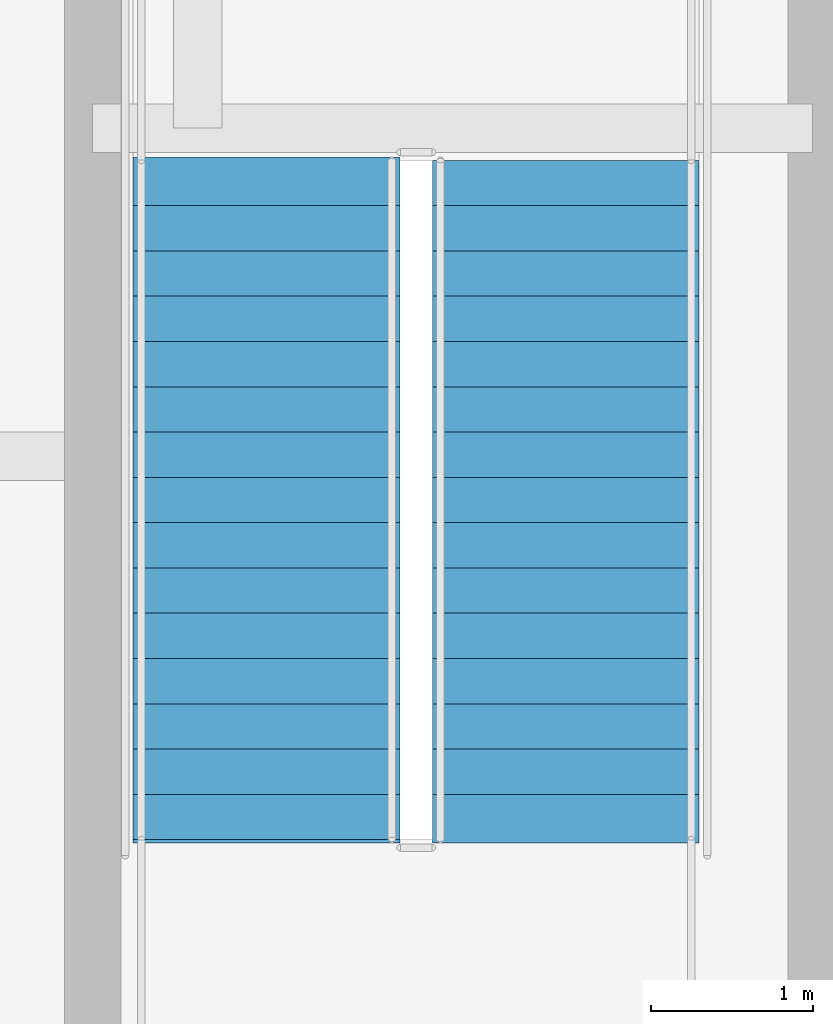
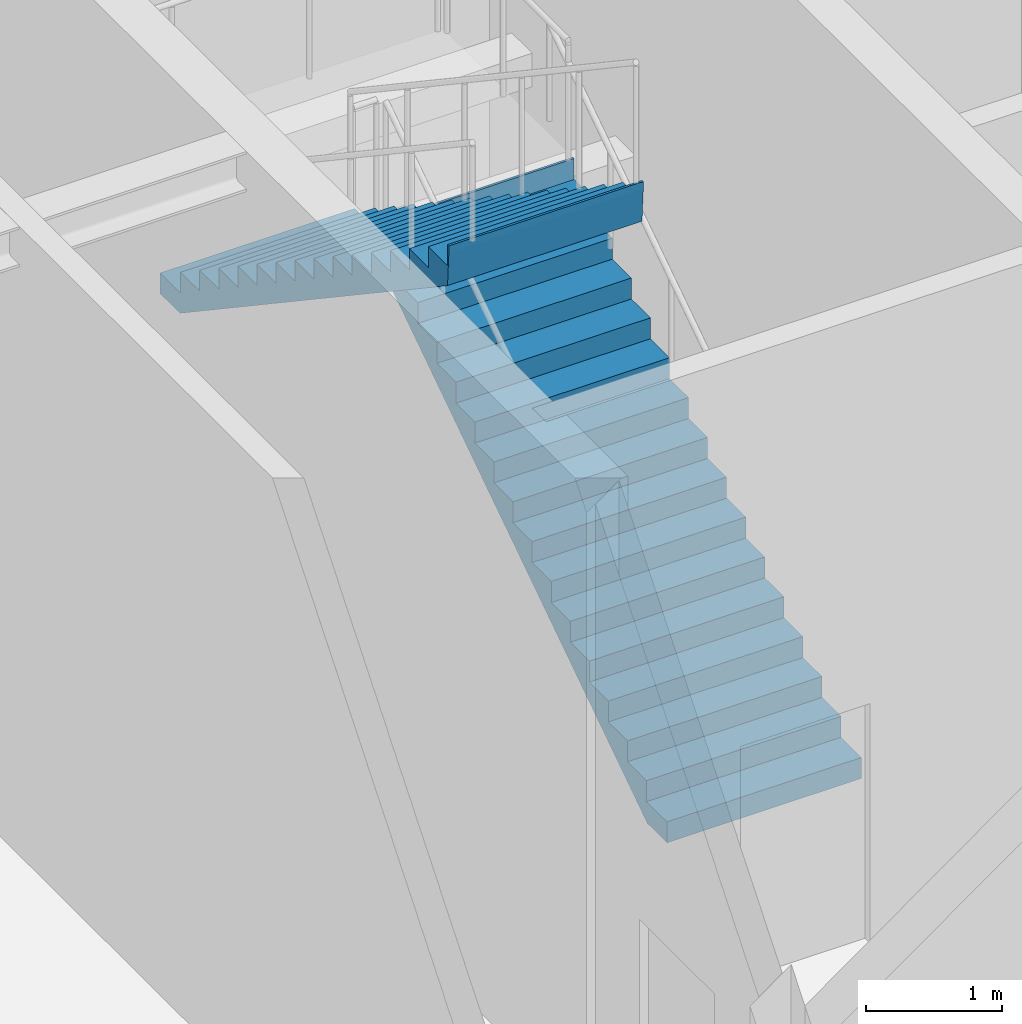
# One storey, part 4 of 10: 2 stair flights, 1 element without a shape of its own.
"""IFC4 building model written with IfcOpenShell, lengths in metres."""

from ifc_helpers import new_model, si_unit, direction, frame, origin, place, context, subcontext, project, spatial, polygons, material, type_object, element, aggregate, save


model = new_model("IFC4")

# Units and contexts
model_context = context("Model", 3, precision=1e-05, world=origin(), true_north=direction((0.0, 1.0)))
body_context = subcontext(model_context, "Body", "Model", "MODEL_VIEW")
ifc_project = project(units=[si_unit("LENGTHUNIT", "METRE"), si_unit("AREAUNIT", "SQUARE_METRE"), si_unit("VOLUMEUNIT", "CUBIC_METRE"), si_unit("PLANEANGLEUNIT", "RADIAN"), si_unit("MASSUNIT", "GRAM", prefix="KILO")], contexts=[model_context])

# Site, building, storey
site_placement = place(None, origin())
site = spatial("IfcSite", under=ifc_project, at=site_placement, CompositionType="ELEMENT")
building_placement = place(site_placement, origin())
building = spatial("IfcBuilding", under=site, at=building_placement, Name="Serunith Strait Residences", CompositionType="ELEMENT")
storey_placement = place(building_placement, frame((0.0, 0.0, 359.75)))
storey = spatial("IfcBuildingStorey", under=building, at=storey_placement, Name="L88", CompositionType="ELEMENT", Elevation=359.75)

# Stair, stair flights
ifc_material = material(Name="Concrete C50/60", Category="concrete")
stair_type = type_object("IfcStairType", Name="STR-CORE-1", PredefinedType="HALF_TURN_STAIR", material=ifc_material)
stair_placement = place(storey_placement, origin())
stair = element("IfcStair", 1, at=stair_placement, inside=storey, type_object=stair_type, Name="L88 Protected Escape Stair ST-1", PredefinedType="HALF_TURN_STAIR")
stair_flight_type = type_object("IfcStairFlightType", Name="FLT-CORE-1", PredefinedType="STRAIGHT", material=ifc_material)
stair_flight_1_placement = place(storey_placement, frame((26.324951171875, 27.030029296875, 0.0), z_axis=(0.0, 0.0, 1.0), x_axis=(0.0, 1.0, 0.0)))
stair_flight_1 = element("IfcStairFlight", 2, at=stair_flight_1_placement, type_object=stair_flight_type, Name="ST-1 flight 1", NumberOfRisers=16, NumberOfTreads=15, PredefinedType="STRAIGHT", RiserHeight=0.1875, TreadLength=0.28, context=body_context, shape_type="Tessellation", body=[
    polygons([(-0.02001953125, -0.824951171875, 0.0), (-0.02001953125, -0.824951171875, 0.1875), (0.280029296875, -0.824951171875, 0.1875), (0.280029296875, -0.824951171875, 0.375), (0.56005859375, -0.824951171875, 0.375), (0.56005859375, -0.824951171875, 0.5625), (0.840087890625, -0.824951171875, 0.5625), (0.840087890625, -0.824951171875, 0.75), (1.1201171875, -0.824951171875, 0.75), (1.1201171875, -0.824951171875, 0.9375), (1.39990234375, -0.824951171875, 0.9375), (1.39990234375, -0.824951171875, 1.125), (1.679931640625, -0.824951171875, 1.125), (1.679931640625, -0.824951171875, 1.3125), (1.9599609375, -0.824951171875, 1.3125), (1.9599609375, -0.824951171875, 1.5), (2.239990234375, -0.824951171875, 1.5), (2.239990234375, -0.824951171875, 1.6875), (2.52001953125, -0.824951171875, 1.6875), (2.52001953125, -0.824951171875, 1.875), (2.800048828125, -0.824951171875, 1.875), (2.800048828125, -0.824951171875, 2.0625), (3.080078125, -0.824951171875, 2.0625), (3.080078125, -0.824951171875, 2.25), (3.360107421875, -0.824951171875, 2.25), (3.360107421875, -0.824951171875, 2.4375), (3.639892578125, -0.824951171875, 2.4375), (3.639892578125, -0.824951171875, 2.625), (3.919921875, -0.824951171875, 2.625), (3.919921875, -0.824951171875, 2.8125), (4.199951171875, -0.824951171875, 2.8125), (4.199951171875, -0.824951171875, 3.0), (4.219970703125, -0.824951171875, 3.0), (4.219970703125, -0.824951171875, 2.93994140625), (4.199951171875, -0.824951171875, 2.632080078125), (0.26953125, -0.824951171875, 0.0), (-0.02001953125, -0.41259765625, 0.0), (-0.02001953125, -0.41259765625, 0.1875), (0.280029296875, -0.41259765625, 0.1875), (0.280029296875, -0.41259765625, 0.375), (0.56005859375, -0.41259765625, 0.375), (0.56005859375, -0.41259765625, 0.5625), (0.840087890625, -0.41259765625, 0.5625), (0.840087890625, -0.41259765625, 0.75), (1.1201171875, -0.41259765625, 0.75), (1.1201171875, -0.41259765625, 0.9375), (1.39990234375, -0.41259765625, 0.9375), (1.39990234375, -0.41259765625, 1.125), (1.679931640625, -0.41259765625, 1.125), (1.679931640625, -0.41259765625, 1.3125), (1.9599609375, -0.41259765625, 1.3125), (1.9599609375, -0.41259765625, 1.5), (2.239990234375, -0.41259765625, 1.5), (2.239990234375, -0.41259765625, 1.6875), (2.52001953125, -0.41259765625, 1.6875), (2.52001953125, -0.41259765625, 1.875), (2.800048828125, -0.41259765625, 1.875), (2.800048828125, -0.41259765625, 2.0625), (3.080078125, -0.41259765625, 2.0625), (3.080078125, -0.41259765625, 2.25), (3.360107421875, -0.41259765625, 2.25), (3.360107421875, -0.41259765625, 2.4375), (3.639892578125, -0.41259765625, 2.4375), (3.639892578125, -0.41259765625, 2.625), (3.919921875, -0.41259765625, 2.625), (3.919921875, -0.41259765625, 2.8125), (4.199951171875, -0.41259765625, 2.8125), (4.199951171875, -0.41259765625, 3.0), (4.219970703125, -0.41259765625, 3.0), (4.219970703125, -0.41259765625, 2.93994140625), (4.199951171875, -0.41259765625, 2.632080078125), (0.26953125, -0.41259765625, 0.0), (-0.02001953125, 0.0, 0.0), (-0.02001953125, 0.0, 0.1875), (0.280029296875, 0.0, 0.1875), (0.280029296875, 0.0, 0.375), (0.56005859375, 0.0, 0.375), (0.56005859375, 0.0, 0.5625), (0.840087890625, 0.0, 0.5625), (0.840087890625, 0.0, 0.75), (1.1201171875, 0.0, 0.75), (1.1201171875, 0.0, 0.9375), (1.39990234375, 0.0, 0.9375), (1.39990234375, 0.0, 1.125), (1.679931640625, 0.0, 1.125), (1.679931640625, 0.0, 1.3125), (1.9599609375, 0.0, 1.3125), (1.9599609375, 0.0, 1.5), (2.239990234375, 0.0, 1.5), (2.239990234375, 0.0, 1.6875), (2.52001953125, 0.0, 1.6875), (2.52001953125, 0.0, 1.875), (2.800048828125, 0.0, 1.875), (2.800048828125, 0.0, 2.0625), (3.080078125, 0.0, 2.0625), (3.080078125, 0.0, 2.25), (3.360107421875, 0.0, 2.25), (3.360107421875, 0.0, 2.4375), (3.639892578125, 0.0, 2.4375), (3.639892578125, 0.0, 2.625), (3.919921875, 0.0, 2.625), (3.919921875, 0.0, 2.8125), (4.199951171875, 0.0, 2.8125), (4.199951171875, 0.0, 3.0), (4.219970703125, 0.0, 3.0), (4.219970703125, 0.0, 2.93994140625), (4.199951171875, 0.0, 2.632080078125), (0.26953125, 0.0, 0.0), (-0.02001953125, 0.41259765625, 0.0), (-0.02001953125, 0.41259765625, 0.1875), (0.280029296875, 0.41259765625, 0.1875), (0.280029296875, 0.41259765625, 0.375), (0.56005859375, 0.41259765625, 0.375), (0.56005859375, 0.41259765625, 0.5625), (0.840087890625, 0.41259765625, 0.5625), (0.840087890625, 0.41259765625, 0.75), (1.1201171875, 0.41259765625, 0.75), (1.1201171875, 0.41259765625, 0.9375), (1.39990234375, 0.41259765625, 0.9375), (1.39990234375, 0.41259765625, 1.125), (1.679931640625, 0.41259765625, 1.125), (1.679931640625, 0.41259765625, 1.3125), (1.9599609375, 0.41259765625, 1.3125), (1.9599609375, 0.41259765625, 1.5), (2.239990234375, 0.41259765625, 1.5), (2.239990234375, 0.41259765625, 1.6875), (2.52001953125, 0.41259765625, 1.6875), (2.52001953125, 0.41259765625, 1.875), (2.800048828125, 0.41259765625, 1.875), (2.800048828125, 0.41259765625, 2.0625), (3.080078125, 0.41259765625, 2.0625), (3.080078125, 0.41259765625, 2.25), (3.360107421875, 0.41259765625, 2.25), (3.360107421875, 0.41259765625, 2.4375), (3.639892578125, 0.41259765625, 2.4375), (3.639892578125, 0.41259765625, 2.625), (3.919921875, 0.41259765625, 2.625), (3.919921875, 0.41259765625, 2.8125), (4.199951171875, 0.41259765625, 2.8125), (4.199951171875, 0.41259765625, 3.0), (4.219970703125, 0.41259765625, 3.0), (4.219970703125, 0.41259765625, 2.93994140625), (4.199951171875, 0.41259765625, 2.632080078125), (0.26953125, 0.41259765625, 0.0), (-0.02001953125, 0.824951171875, 0.0), (-0.02001953125, 0.824951171875, 0.1875), (0.280029296875, 0.824951171875, 0.1875), (0.280029296875, 0.824951171875, 0.375), (0.56005859375, 0.824951171875, 0.375), (0.56005859375, 0.824951171875, 0.5625), (0.840087890625, 0.824951171875, 0.5625), (0.840087890625, 0.824951171875, 0.75), (1.1201171875, 0.824951171875, 0.75), (1.1201171875, 0.824951171875, 0.9375), (1.39990234375, 0.824951171875, 0.9375), (1.39990234375, 0.824951171875, 1.125), (1.679931640625, 0.824951171875, 1.125), (1.679931640625, 0.824951171875, 1.3125), (1.9599609375, 0.824951171875, 1.3125), (1.9599609375, 0.824951171875, 1.5), (2.239990234375, 0.824951171875, 1.5), (2.239990234375, 0.824951171875, 1.6875), (2.52001953125, 0.824951171875, 1.6875), (2.52001953125, 0.824951171875, 1.875), (2.800048828125, 0.824951171875, 1.875), (2.800048828125, 0.824951171875, 2.0625), (3.080078125, 0.824951171875, 2.0625), (3.080078125, 0.824951171875, 2.25), (3.360107421875, 0.824951171875, 2.25), (3.360107421875, 0.824951171875, 2.4375), (3.639892578125, 0.824951171875, 2.4375), (3.639892578125, 0.824951171875, 2.625), (3.919921875, 0.824951171875, 2.625), (3.919921875, 0.824951171875, 2.8125), (4.199951171875, 0.824951171875, 2.8125), (4.199951171875, 0.824951171875, 3.0), (4.219970703125, 0.824951171875, 3.0), (4.219970703125, 0.824951171875, 2.93994140625), (4.199951171875, 0.824951171875, 2.632080078125), (0.26953125, 0.824951171875, 0.0)], [[[1, 2, 38, 37]], [[2, 3, 39, 38]], [[3, 4, 40, 39]], [[4, 5, 41, 40]], [[5, 6, 42, 41]], [[6, 7, 43, 42]], [[7, 8, 44, 43]], [[8, 9, 45, 44]], [[9, 10, 46, 45]], [[10, 11, 47, 46]], [[11, 12, 48, 47]], [[12, 13, 49, 48]], [[13, 14, 50, 49]], [[14, 15, 51, 50]], [[15, 16, 52, 51]], [[16, 17, 53, 52]], [[17, 18, 54, 53]], [[18, 19, 55, 54]], [[19, 20, 56, 55]], [[20, 21, 57, 56]], [[21, 22, 58, 57]], [[22, 23, 59, 58]], [[23, 24, 60, 59]], [[24, 25, 61, 60]], [[25, 26, 62, 61]], [[26, 27, 63, 62]], [[27, 28, 64, 63]], [[28, 29, 65, 64]], [[29, 30, 66, 65]], [[30, 31, 67, 66]], [[31, 32, 68, 67]], [[32, 33, 69, 68]], [[33, 34, 70, 69]], [[34, 35, 71, 70]], [[35, 36, 72, 71]], [[36, 1, 37, 72]], [[37, 38, 74, 73]], [[38, 39, 75, 74]], [[39, 40, 76, 75]], [[40, 41, 77, 76]], [[41, 42, 78, 77]], [[42, 43, 79, 78]], [[43, 44, 80, 79]], [[44, 45, 81, 80]], [[45, 46, 82, 81]], [[46, 47, 83, 82]], [[47, 48, 84, 83]], [[48, 49, 85, 84]], [[49, 50, 86, 85]], [[50, 51, 87, 86]], [[51, 52, 88, 87]], [[52, 53, 89, 88]], [[53, 54, 90, 89]], [[54, 55, 91, 90]], [[55, 56, 92, 91]], [[56, 57, 93, 92]], [[57, 58, 94, 93]], [[58, 59, 95, 94]], [[59, 60, 96, 95]], [[60, 61, 97, 96]], [[61, 62, 98, 97]], [[62, 63, 99, 98]], [[63, 64, 100, 99]], [[64, 65, 101, 100]], [[65, 66, 102, 101]], [[66, 67, 103, 102]], [[67, 68, 104, 103]], [[68, 69, 105, 104]], [[69, 70, 106, 105]], [[70, 71, 107, 106]], [[71, 72, 108, 107]], [[72, 37, 73, 108]], [[73, 74, 110, 109]], [[74, 75, 111, 110]], [[75, 76, 112, 111]], [[76, 77, 113, 112]], [[77, 78, 114, 113]], [[78, 79, 115, 114]], [[79, 80, 116, 115]], [[80, 81, 117, 116]], [[81, 82, 118, 117]], [[82, 83, 119, 118]], [[83, 84, 120, 119]], [[84, 85, 121, 120]], [[85, 86, 122, 121]], [[86, 87, 123, 122]], [[87, 88, 124, 123]], [[88, 89, 125, 124]], [[89, 90, 126, 125]], [[90, 91, 127, 126]], [[91, 92, 128, 127]], [[92, 93, 129, 128]], [[93, 94, 130, 129]], [[94, 95, 131, 130]], [[95, 96, 132, 131]], [[96, 97, 133, 132]], [[97, 98, 134, 133]], [[98, 99, 135, 134]], [[99, 100, 136, 135]], [[100, 101, 137, 136]], [[101, 102, 138, 137]], [[102, 103, 139, 138]], [[103, 104, 140, 139]], [[104, 105, 141, 140]], [[105, 106, 142, 141]], [[106, 107, 143, 142]], [[107, 108, 144, 143]], [[108, 73, 109, 144]], [[109, 110, 146, 145]], [[110, 111, 147, 146]], [[111, 112, 148, 147]], [[112, 113, 149, 148]], [[113, 114, 150, 149]], [[114, 115, 151, 150]], [[115, 116, 152, 151]], [[116, 117, 153, 152]], [[117, 118, 154, 153]], [[118, 119, 155, 154]], [[119, 120, 156, 155]], [[120, 121, 157, 156]], [[121, 122, 158, 157]], [[122, 123, 159, 158]], [[123, 124, 160, 159]], [[124, 125, 161, 160]], [[125, 126, 162, 161]], [[126, 127, 163, 162]], [[127, 128, 164, 163]], [[128, 129, 165, 164]], [[129, 130, 166, 165]], [[130, 131, 167, 166]], [[131, 132, 168, 167]], [[132, 133, 169, 168]], [[133, 134, 170, 169]], [[134, 135, 171, 170]], [[135, 136, 172, 171]], [[136, 137, 173, 172]], [[137, 138, 174, 173]], [[138, 139, 175, 174]], [[139, 140, 176, 175]], [[140, 141, 177, 176]], [[141, 142, 178, 177]], [[142, 143, 179, 178]], [[143, 144, 180, 179]], [[144, 109, 145, 180]], [[36, 35, 34, 33, 32, 31, 30, 29, 28, 27, 26, 25, 24, 23, 22, 21, 20, 19, 18, 17, 16, 15, 14, 13, 12, 11, 10, 9, 8, 7, 6, 5, 4, 3, 2, 1]], [[145, 146, 147, 148, 149, 150, 151, 152, 153, 154, 155, 156, 157, 158, 159, 160, 161, 162, 163, 164, 165, 166, 167, 168, 169, 170, 171, 172, 173, 174, 175, 176, 177, 178, 179, 180]]], closed=True),
])
stair_flight_2_placement = place(storey_placement, frame((24.47509765625, 31.22998046875, 3.0), z_axis=(0.0, 0.0, 1.0), x_axis=(0.0, -1.0, 0.0)))
stair_flight_2 = element("IfcStairFlight", 3, at=stair_flight_2_placement, type_object=stair_flight_type, Name="ST-1 flight 2", NumberOfRisers=16, NumberOfTreads=15, PredefinedType="STRAIGHT", RiserHeight=0.1875, TreadLength=0.28, context=body_context, shape_type="Tessellation", body=[
    polygons([(-0.02001953125, -0.824951171875, 0.0), (-0.02001953125, -0.824951171875, 0.1875), (0.280029296875, -0.824951171875, 0.1875), (0.280029296875, -0.824951171875, 0.375), (0.56005859375, -0.824951171875, 0.375), (0.56005859375, -0.824951171875, 0.5625), (0.840087890625, -0.824951171875, 0.5625), (0.840087890625, -0.824951171875, 0.75), (1.1201171875, -0.824951171875, 0.75), (1.1201171875, -0.824951171875, 0.9375), (1.39990234375, -0.824951171875, 0.9375), (1.39990234375, -0.824951171875, 1.125), (1.679931640625, -0.824951171875, 1.125), (1.679931640625, -0.824951171875, 1.3125), (1.9599609375, -0.824951171875, 1.3125), (1.9599609375, -0.824951171875, 1.5), (2.239990234375, -0.824951171875, 1.5), (2.239990234375, -0.824951171875, 1.6875), (2.52001953125, -0.824951171875, 1.6875), (2.52001953125, -0.824951171875, 1.875), (2.800048828125, -0.824951171875, 1.875), (2.800048828125, -0.824951171875, 2.0625), (3.080078125, -0.824951171875, 2.0625), (3.080078125, -0.824951171875, 2.25), (3.360107421875, -0.824951171875, 2.25), (3.360107421875, -0.824951171875, 2.4375), (3.639892578125, -0.824951171875, 2.4375), (3.639892578125, -0.824951171875, 2.625), (3.919921875, -0.824951171875, 2.625), (3.919921875, -0.824951171875, 2.8125), (4.199951171875, -0.824951171875, 2.8125), (4.199951171875, -0.824951171875, 3.0), (4.219970703125, -0.824951171875, 3.0), (4.219970703125, -0.824951171875, 2.93994140625), (4.199951171875, -0.824951171875, 2.632080078125), (0.26953125, -0.824951171875, 0.0), (-0.02001953125, -0.41259765625, 0.0), (-0.02001953125, -0.41259765625, 0.1875), (0.280029296875, -0.41259765625, 0.1875), (0.280029296875, -0.41259765625, 0.375), (0.56005859375, -0.41259765625, 0.375), (0.56005859375, -0.41259765625, 0.5625), (0.840087890625, -0.41259765625, 0.5625), (0.840087890625, -0.41259765625, 0.75), (1.1201171875, -0.41259765625, 0.75), (1.1201171875, -0.41259765625, 0.9375), (1.39990234375, -0.41259765625, 0.9375), (1.39990234375, -0.41259765625, 1.125), (1.679931640625, -0.41259765625, 1.125), (1.679931640625, -0.41259765625, 1.3125), (1.9599609375, -0.41259765625, 1.3125), (1.9599609375, -0.41259765625, 1.5), (2.239990234375, -0.41259765625, 1.5), (2.239990234375, -0.41259765625, 1.6875), (2.52001953125, -0.41259765625, 1.6875), (2.52001953125, -0.41259765625, 1.875), (2.800048828125, -0.41259765625, 1.875), (2.800048828125, -0.41259765625, 2.0625), (3.080078125, -0.41259765625, 2.0625), (3.080078125, -0.41259765625, 2.25), (3.360107421875, -0.41259765625, 2.25), (3.360107421875, -0.41259765625, 2.4375), (3.639892578125, -0.41259765625, 2.4375), (3.639892578125, -0.41259765625, 2.625), (3.919921875, -0.41259765625, 2.625), (3.919921875, -0.41259765625, 2.8125), (4.199951171875, -0.41259765625, 2.8125), (4.199951171875, -0.41259765625, 3.0), (4.219970703125, -0.41259765625, 3.0), (4.219970703125, -0.41259765625, 2.93994140625), (4.199951171875, -0.41259765625, 2.632080078125), (0.26953125, -0.41259765625, 0.0), (-0.02001953125, 0.0, 0.0), (-0.02001953125, 0.0, 0.1875), (0.280029296875, 0.0, 0.1875), (0.280029296875, 0.0, 0.375), (0.56005859375, 0.0, 0.375), (0.56005859375, 0.0, 0.5625), (0.840087890625, 0.0, 0.5625), (0.840087890625, 0.0, 0.75), (1.1201171875, 0.0, 0.75), (1.1201171875, 0.0, 0.9375), (1.39990234375, 0.0, 0.9375), (1.39990234375, 0.0, 1.125), (1.679931640625, 0.0, 1.125), (1.679931640625, 0.0, 1.3125), (1.9599609375, 0.0, 1.3125), (1.9599609375, 0.0, 1.5), (2.239990234375, 0.0, 1.5), (2.239990234375, 0.0, 1.6875), (2.52001953125, 0.0, 1.6875), (2.52001953125, 0.0, 1.875), (2.800048828125, 0.0, 1.875), (2.800048828125, 0.0, 2.0625), (3.080078125, 0.0, 2.0625), (3.080078125, 0.0, 2.25), (3.360107421875, 0.0, 2.25), (3.360107421875, 0.0, 2.4375), (3.639892578125, 0.0, 2.4375), (3.639892578125, 0.0, 2.625), (3.919921875, 0.0, 2.625), (3.919921875, 0.0, 2.8125), (4.199951171875, 0.0, 2.8125), (4.199951171875, 0.0, 3.0), (4.219970703125, 0.0, 3.0), (4.219970703125, 0.0, 2.93994140625), (4.199951171875, 0.0, 2.632080078125), (0.26953125, 0.0, 0.0), (-0.02001953125, 0.41259765625, 0.0), (-0.02001953125, 0.41259765625, 0.1875), (0.280029296875, 0.41259765625, 0.1875), (0.280029296875, 0.41259765625, 0.375), (0.56005859375, 0.41259765625, 0.375), (0.56005859375, 0.41259765625, 0.5625), (0.840087890625, 0.41259765625, 0.5625), (0.840087890625, 0.41259765625, 0.75), (1.1201171875, 0.41259765625, 0.75), (1.1201171875, 0.41259765625, 0.9375), (1.39990234375, 0.41259765625, 0.9375), (1.39990234375, 0.41259765625, 1.125), (1.679931640625, 0.41259765625, 1.125), (1.679931640625, 0.41259765625, 1.3125), (1.9599609375, 0.41259765625, 1.3125), (1.9599609375, 0.41259765625, 1.5), (2.239990234375, 0.41259765625, 1.5), (2.239990234375, 0.41259765625, 1.6875), (2.52001953125, 0.41259765625, 1.6875), (2.52001953125, 0.41259765625, 1.875), (2.800048828125, 0.41259765625, 1.875), (2.800048828125, 0.41259765625, 2.0625), (3.080078125, 0.41259765625, 2.0625), (3.080078125, 0.41259765625, 2.25), (3.360107421875, 0.41259765625, 2.25), (3.360107421875, 0.41259765625, 2.4375), (3.639892578125, 0.41259765625, 2.4375), (3.639892578125, 0.41259765625, 2.625), (3.919921875, 0.41259765625, 2.625), (3.919921875, 0.41259765625, 2.8125), (4.199951171875, 0.41259765625, 2.8125), (4.199951171875, 0.41259765625, 3.0), (4.219970703125, 0.41259765625, 3.0), (4.219970703125, 0.41259765625, 2.93994140625), (4.199951171875, 0.41259765625, 2.632080078125), (0.26953125, 0.41259765625, 0.0), (-0.02001953125, 0.824951171875, 0.0), (-0.02001953125, 0.824951171875, 0.1875), (0.280029296875, 0.824951171875, 0.1875), (0.280029296875, 0.824951171875, 0.375), (0.56005859375, 0.824951171875, 0.375), (0.56005859375, 0.824951171875, 0.5625), (0.840087890625, 0.824951171875, 0.5625), (0.840087890625, 0.824951171875, 0.75), (1.1201171875, 0.824951171875, 0.75), (1.1201171875, 0.824951171875, 0.9375), (1.39990234375, 0.824951171875, 0.9375), (1.39990234375, 0.824951171875, 1.125), (1.679931640625, 0.824951171875, 1.125), (1.679931640625, 0.824951171875, 1.3125), (1.9599609375, 0.824951171875, 1.3125), (1.9599609375, 0.824951171875, 1.5), (2.239990234375, 0.824951171875, 1.5), (2.239990234375, 0.824951171875, 1.6875), (2.52001953125, 0.824951171875, 1.6875), (2.52001953125, 0.824951171875, 1.875), (2.800048828125, 0.824951171875, 1.875), (2.800048828125, 0.824951171875, 2.0625), (3.080078125, 0.824951171875, 2.0625), (3.080078125, 0.824951171875, 2.25), (3.360107421875, 0.824951171875, 2.25), (3.360107421875, 0.824951171875, 2.4375), (3.639892578125, 0.824951171875, 2.4375), (3.639892578125, 0.824951171875, 2.625), (3.919921875, 0.824951171875, 2.625), (3.919921875, 0.824951171875, 2.8125), (4.199951171875, 0.824951171875, 2.8125), (4.199951171875, 0.824951171875, 3.0), (4.219970703125, 0.824951171875, 3.0), (4.219970703125, 0.824951171875, 2.93994140625), (4.199951171875, 0.824951171875, 2.632080078125), (0.26953125, 0.824951171875, 0.0)], [[[1, 2, 38, 37]], [[2, 3, 39, 38]], [[3, 4, 40, 39]], [[4, 5, 41, 40]], [[5, 6, 42, 41]], [[6, 7, 43, 42]], [[7, 8, 44, 43]], [[8, 9, 45, 44]], [[9, 10, 46, 45]], [[10, 11, 47, 46]], [[11, 12, 48, 47]], [[12, 13, 49, 48]], [[13, 14, 50, 49]], [[14, 15, 51, 50]], [[15, 16, 52, 51]], [[16, 17, 53, 52]], [[17, 18, 54, 53]], [[18, 19, 55, 54]], [[19, 20, 56, 55]], [[20, 21, 57, 56]], [[21, 22, 58, 57]], [[22, 23, 59, 58]], [[23, 24, 60, 59]], [[24, 25, 61, 60]], [[25, 26, 62, 61]], [[26, 27, 63, 62]], [[27, 28, 64, 63]], [[28, 29, 65, 64]], [[29, 30, 66, 65]], [[30, 31, 67, 66]], [[31, 32, 68, 67]], [[32, 33, 69, 68]], [[33, 34, 70, 69]], [[34, 35, 71, 70]], [[35, 36, 72, 71]], [[36, 1, 37, 72]], [[37, 38, 74, 73]], [[38, 39, 75, 74]], [[39, 40, 76, 75]], [[40, 41, 77, 76]], [[41, 42, 78, 77]], [[42, 43, 79, 78]], [[43, 44, 80, 79]], [[44, 45, 81, 80]], [[45, 46, 82, 81]], [[46, 47, 83, 82]], [[47, 48, 84, 83]], [[48, 49, 85, 84]], [[49, 50, 86, 85]], [[50, 51, 87, 86]], [[51, 52, 88, 87]], [[52, 53, 89, 88]], [[53, 54, 90, 89]], [[54, 55, 91, 90]], [[55, 56, 92, 91]], [[56, 57, 93, 92]], [[57, 58, 94, 93]], [[58, 59, 95, 94]], [[59, 60, 96, 95]], [[60, 61, 97, 96]], [[61, 62, 98, 97]], [[62, 63, 99, 98]], [[63, 64, 100, 99]], [[64, 65, 101, 100]], [[65, 66, 102, 101]], [[66, 67, 103, 102]], [[67, 68, 104, 103]], [[68, 69, 105, 104]], [[69, 70, 106, 105]], [[70, 71, 107, 106]], [[71, 72, 108, 107]], [[72, 37, 73, 108]], [[73, 74, 110, 109]], [[74, 75, 111, 110]], [[75, 76, 112, 111]], [[76, 77, 113, 112]], [[77, 78, 114, 113]], [[78, 79, 115, 114]], [[79, 80, 116, 115]], [[80, 81, 117, 116]], [[81, 82, 118, 117]], [[82, 83, 119, 118]], [[83, 84, 120, 119]], [[84, 85, 121, 120]], [[85, 86, 122, 121]], [[86, 87, 123, 122]], [[87, 88, 124, 123]], [[88, 89, 125, 124]], [[89, 90, 126, 125]], [[90, 91, 127, 126]], [[91, 92, 128, 127]], [[92, 93, 129, 128]], [[93, 94, 130, 129]], [[94, 95, 131, 130]], [[95, 96, 132, 131]], [[96, 97, 133, 132]], [[97, 98, 134, 133]], [[98, 99, 135, 134]], [[99, 100, 136, 135]], [[100, 101, 137, 136]], [[101, 102, 138, 137]], [[102, 103, 139, 138]], [[103, 104, 140, 139]], [[104, 105, 141, 140]], [[105, 106, 142, 141]], [[106, 107, 143, 142]], [[107, 108, 144, 143]], [[108, 73, 109, 144]], [[109, 110, 146, 145]], [[110, 111, 147, 146]], [[111, 112, 148, 147]], [[112, 113, 149, 148]], [[113, 114, 150, 149]], [[114, 115, 151, 150]], [[115, 116, 152, 151]], [[116, 117, 153, 152]], [[117, 118, 154, 153]], [[118, 119, 155, 154]], [[119, 120, 156, 155]], [[120, 121, 157, 156]], [[121, 122, 158, 157]], [[122, 123, 159, 158]], [[123, 124, 160, 159]], [[124, 125, 161, 160]], [[125, 126, 162, 161]], [[126, 127, 163, 162]], [[127, 128, 164, 163]], [[128, 129, 165, 164]], [[129, 130, 166, 165]], [[130, 131, 167, 166]], [[131, 132, 168, 167]], [[132, 133, 169, 168]], [[133, 134, 170, 169]], [[134, 135, 171, 170]], [[135, 136, 172, 171]], [[136, 137, 173, 172]], [[137, 138, 174, 173]], [[138, 139, 175, 174]], [[139, 140, 176, 175]], [[140, 141, 177, 176]], [[141, 142, 178, 177]], [[142, 143, 179, 178]], [[143, 144, 180, 179]], [[144, 109, 145, 180]], [[36, 35, 34, 33, 32, 31, 30, 29, 28, 27, 26, 25, 24, 23, 22, 21, 20, 19, 18, 17, 16, 15, 14, 13, 12, 11, 10, 9, 8, 7, 6, 5, 4, 3, 2, 1]], [[145, 146, 147, 148, 149, 150, 151, 152, 153, 154, 155, 156, 157, 158, 159, 160, 161, 162, 163, 164, 165, 166, 167, 168, 169, 170, 171, 172, 173, 174, 175, 176, 177, 178, 179, 180]]], closed=True),
])
aggregate(stair, [stair_flight_1, stair_flight_2])

save(model, "model.ifc")
